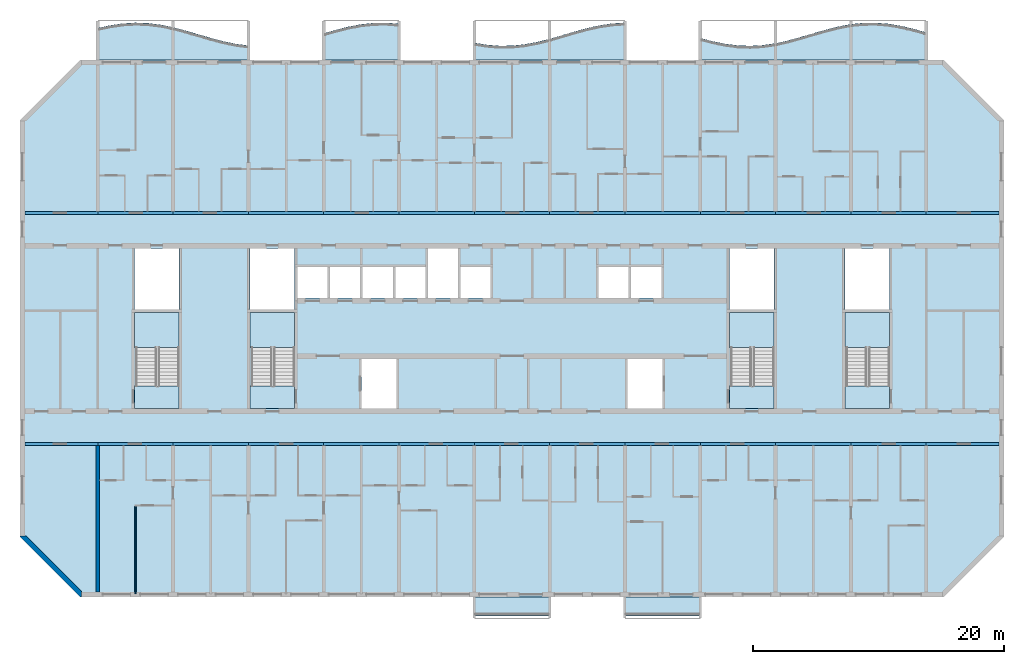
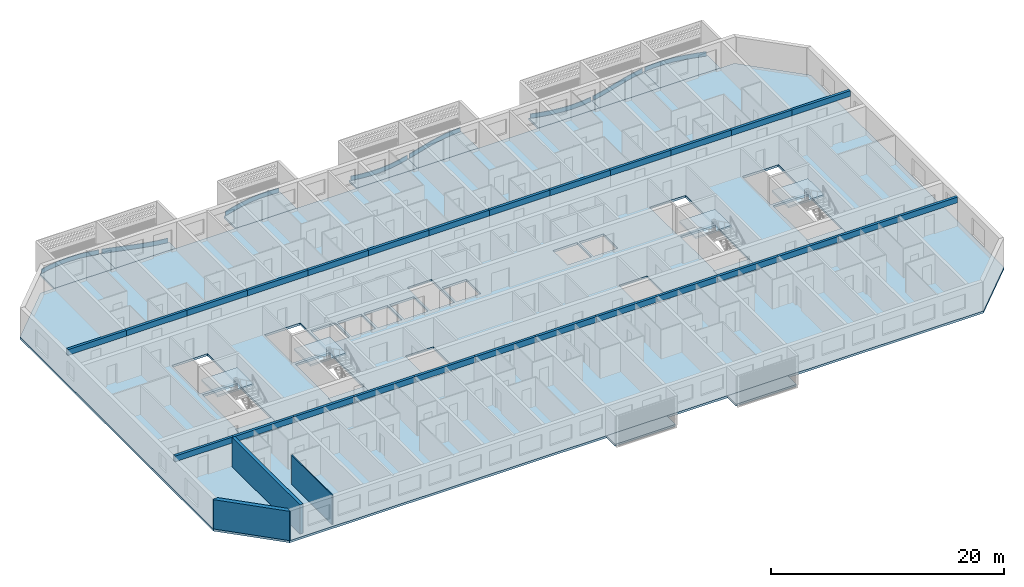
# One storey, part 1 of 31: 26 beams, 19 slabs, 8 plates, 3 walls, 4 elements without a shape of their own.
"""IFC4 building model written with IfcOpenShell, lengths in metres."""

import ifcopenshell
import ifcopenshell.guid

model = None  # the IFC model being written
_history = None  # IfcOwnerHistory: only IFC2X3 demands one
_inside = {}  # id of a spatial element -> (the spatial element, [elements in it])
_under = {}  # id of a project, library or spatial element -> (it, [spatial elements below it])
_declared = {}  # id of a project -> (the project, [libraries it declares])
_typed = {}  # id of a type object -> (the type object, [elements of that type])
_made_of = {}  # id of a material, layer set ... -> (it, [elements and type objects made of it])


def new_model(schema):
    """Start an empty IFC model of exactly this schema.

    Asked for "IFC4X3", IfcOpenShell would pick the latest addendum, in which some entities
    have other attributes; the version numbers below select the first issue.
    IFC2X3 requires an IfcOwnerHistory on every rooted entity: one is made here for all.
    """
    global model, _history
    if schema == "IFC4X3":
        model = ifcopenshell.file(schema_version=(4, 3, 0, 0))
    else:
        model = ifcopenshell.file(schema=schema)
    _inside.clear()
    _under.clear()
    _declared.clear()
    _typed.clear()
    _made_of.clear()
    _history = None
    if model.schema == "IFC2X3":
        org = make("IfcOrganization", Name="unknown")
        user = make(
            "IfcPersonAndOrganization",
            ThePerson=make("IfcPerson", FamilyName="unknown"),
            TheOrganization=org,
        )
        app = make(
            "IfcApplication",
            ApplicationDeveloper=org,
            Version="unknown",
            ApplicationFullName="unknown",
            ApplicationIdentifier="unknown",
        )
        _history = make(
            "IfcOwnerHistory",
            OwningUser=user,
            OwningApplication=app,
            ChangeAction="ADDED",
            CreationDate=0,
        )
    return model


def make(cls, **values):
    """One entity of the class cls with the attributes given. An attribute that is None is left unset."""
    return model.create_entity(
        cls, **{name: value for name, value in values.items() if value is not None}
    )


def rooted(cls, **values):
    """An entity with a GlobalId (a new one), such as an element, a storey or a relation."""
    return make(cls, GlobalId=ifcopenshell.guid.new(), OwnerHistory=_history, **values)


def si_unit(unit_type, name, prefix=None):
    """IfcSIUnit, for example si_unit("LENGTHUNIT", "METRE", prefix="MILLI")."""
    return make("IfcSIUnit", UnitType=unit_type, Prefix=prefix, Name=name)


def assignment(units):
    """IfcUnitAssignment: the units of a project."""
    return None if units is None else make("IfcUnitAssignment", Units=units)


def point(xyz):
    """IfcCartesianPoint."""
    return None if xyz is None else make("IfcCartesianPoint", Coordinates=xyz)


def direction(xyz):
    """IfcDirection."""
    return None if xyz is None else make("IfcDirection", DirectionRatios=xyz)


def frame(location, z_axis=None, x_axis=None):
    """IfcAxis2Placement3D, a coordinate frame: its origin and axes. An axis left out is left unset."""
    return make(
        "IfcAxis2Placement3D",
        Location=point(location),
        Axis=direction(z_axis),
        RefDirection=direction(x_axis),
    )


def frame_2d(location, x_axis=None):
    """IfcAxis2Placement2D, a coordinate frame in the plane: its origin and x axis."""
    return make(
        "IfcAxis2Placement2D", Location=point(location), RefDirection=direction(x_axis)
    )


def origin():
    """The frame at (0, 0, 0) with its axes left unset."""
    return frame((0.0, 0.0, 0.0))


def origin_2d():
    """The frame at (0, 0) in the plane with its x axis left unset."""
    return frame_2d((0.0, 0.0))


def place(relative_to, where):
    """IfcLocalPlacement: puts the frame where relative to a parent placement (None: the world)."""
    return make(
        "IfcLocalPlacement", PlacementRelTo=relative_to, RelativePlacement=where
    )


def context(
    kind, dimensions, precision=None, world=None, true_north=None, identifier=None
):
    """IfcGeometricRepresentationContext, for example the 3D "Model" context."""
    return make(
        "IfcGeometricRepresentationContext",
        ContextIdentifier=identifier,
        ContextType=kind,
        CoordinateSpaceDimension=dimensions,
        Precision=precision,
        WorldCoordinateSystem=world,
        TrueNorth=true_north,
    )


def subcontext(parent, identifier, kind, view, scale=None):
    """IfcGeometricRepresentationSubContext, for example "Body" below "Model"."""
    return make(
        "IfcGeometricRepresentationSubContext",
        ContextIdentifier=identifier,
        ContextType=kind,
        ParentContext=parent,
        TargetScale=scale,
        TargetView=view,
    )


def project(units=None, contexts=None):
    """IfcProject with its units and contexts."""
    return rooted(
        "IfcProject",
        Name="project",
        RepresentationContexts=contexts,
        UnitsInContext=assignment(units),
    )


def spatial(cls, under=None, at=None, **own):
    """A site, building, storey or space (cls), placed at a placement, below another one or the project."""
    s = rooted(cls, ObjectPlacement=at, **own)
    if under is not None:
        _under.setdefault(under.id(), (under, []))[1].append(s)
    return s


def polyline(points):
    """IfcPolyline through the points."""
    return make("IfcPolyline", Points=[point(p) for p in points])


def profile(cls, at=None, kind="AREA", **sizes):
    """A parametric profile (cls). Its sizes go by their IFC names, for example OverallWidth=200.0."""
    return make(cls, ProfileType=kind, Position=at, **sizes)


def rectangle(**sizes):
    """IfcRectangleProfileDef."""
    return profile("IfcRectangleProfileDef", **sizes)


def outline(outer, holes=None, kind="AREA"):
    """IfcArbitraryClosedProfileDef: a profile drawn as a closed curve; with holes, ...WithVoids."""
    if holes is None:
        return make("IfcArbitraryClosedProfileDef", ProfileType=kind, OuterCurve=outer)
    return make(
        "IfcArbitraryProfileDefWithVoids",
        ProfileType=kind,
        OuterCurve=outer,
        InnerCurves=holes,
    )


def extrude(swept, where, along, depth):
    """IfcExtrudedAreaSolid: the profile swept, set in the frame where, extruded along a direction by depth."""
    return make(
        "IfcExtrudedAreaSolid",
        SweptArea=swept,
        Position=where,
        ExtrudedDirection=direction(along),
        Depth=depth,
    )


def shape(context_of_items, identifier, shape_type, items):
    """IfcShapeRepresentation: the items that make up one representation, for example the "Body"."""
    return make(
        "IfcShapeRepresentation",
        ContextOfItems=context_of_items,
        RepresentationIdentifier=identifier,
        RepresentationType=shape_type,
        Items=items,
    )


def source(mapping_origin, context_of_items, identifier, shape_type, items):
    """IfcRepresentationMap: a shape defined once, which mapped items show again and again."""
    return make(
        "IfcRepresentationMap",
        MappingOrigin=mapping_origin,
        MappedRepresentation=shape(context_of_items, identifier, shape_type, items),
    )


def transform(
    local_origin,
    x_axis=None,
    y_axis=None,
    z_axis=None,
    scale=None,
    scale2=None,
    scale3=None,
    uniform=True,
):
    """IfcCartesianTransformationOperator3D, or its non-uniform kind. x_axis, y_axis, z_axis: its Axis1, 2, 3."""
    if uniform:
        return make(
            "IfcCartesianTransformationOperator3D",
            Axis1=direction(x_axis),
            Axis2=direction(y_axis),
            LocalOrigin=point(local_origin),
            Scale=scale,
            Axis3=direction(z_axis),
        )
    return make(
        "IfcCartesianTransformationOperator3DnonUniform",
        Axis1=direction(x_axis),
        Axis2=direction(y_axis),
        LocalOrigin=point(local_origin),
        Scale=scale,
        Axis3=direction(z_axis),
        Scale2=scale2,
        Scale3=scale3,
    )


def mapped(mapping_source, mapping_target):
    """IfcMappedItem: shows the shape of a source again, moved by a transform."""
    return make(
        "IfcMappedItem", MappingSource=mapping_source, MappingTarget=mapping_target
    )


def material(Name=None, Category=None):
    """IfcMaterial."""
    return make("IfcMaterial", Name=Name, Category=Category)


def layer(
    of_material, thickness, ventilated=None, Name=None, Category=None, Priority=None
):
    """IfcMaterialLayer: one layer of a wall or slab, of a material (None: an air gap)."""
    return make(
        "IfcMaterialLayer",
        Material=of_material,
        LayerThickness=thickness,
        IsVentilated=ventilated,
        Name=Name,
        Category=Category,
        Priority=Priority,
    )


def layer_set(layers, Name=None):
    """IfcMaterialLayerSet."""
    return make("IfcMaterialLayerSet", MaterialLayers=layers, LayerSetName=Name)


def material_profile(
    of_material, cross_section, Name=None, Category=None, Priority=None
):
    """IfcMaterialProfile: a cross section and its material."""
    return make(
        "IfcMaterialProfile",
        Name=Name,
        Material=of_material,
        Profile=cross_section,
        Priority=Priority,
        Category=Category,
    )


def profile_set(profiles, Name=None, composite=None):
    """IfcMaterialProfileSet."""
    return make(
        "IfcMaterialProfileSet",
        Name=Name,
        MaterialProfiles=profiles,
        CompositeProfile=composite,
    )


def made_of(thing, what):
    """Note that an element or type object is made of a material, layer set ...; save() writes the relation."""
    if what is not None:
        _made_of.setdefault(what.id(), (what, []))[1].append(thing)
    return thing


def type_object(cls, material=None, **own):
    """A type object (cls), such as IfcWallType, which elements share."""
    return made_of(rooted(cls, **own), material)


def element(
    cls,
    number,
    at=None,
    inside=None,
    cuts=None,
    type_object=None,
    material=None,
    context=None,
    identifier="Body",
    shape_type=None,
    held_by="IfcProductDefinitionShape",
    body=None,
    shapes=None,
    **own,
):
    """One element of the class cls, such as IfcWall. Its Tag is "e" and its number.

    at: its placement. inside: the storey or other place that contains it. cuts: it is an
    opening in that element (IfcRelVoidsElement). A single representation is given by context,
    identifier, shape_type and body (its items); several are given by shapes. held_by: the class
    of the entity that holds the representations. save() writes the other relations.
    """
    e = rooted(cls, Tag="e%d" % number, ObjectPlacement=at, **own)
    if body is not None:
        shapes = [shape(context, identifier, shape_type, body)]
    if shapes is not None:
        e.Representation = make(held_by, Representations=shapes)
    if inside is not None:
        _inside.setdefault(inside.id(), (inside, []))[1].append(e)
    if cuts is not None:
        rooted(
            "IfcRelVoidsElement", RelatingBuildingElement=cuts, RelatedOpeningElement=e
        )
    if type_object is not None:
        _typed.setdefault(type_object.id(), (type_object, []))[1].append(e)
    return made_of(e, material)


def aggregate(whole, parts):
    """IfcRelAggregates: a whole, such as a stair, and the parts it consists of."""
    return rooted("IfcRelAggregates", RelatingObject=whole, RelatedObjects=parts)


def save(model, path):
    """Write the relations noted so far, then the file.

    IfcRelAggregates (storeys below a building ...), IfcRelContainedInSpatialStructure (elements
    in a storey), IfcRelDefinesByType, IfcRelAssociatesMaterial and IfcRelDeclares: one each for
    every whole, place, type object, material and project.
    """
    for whole, parts in _under.values():
        aggregate(whole, parts)
    for where, things in _inside.values():
        rooted(
            "IfcRelContainedInSpatialStructure",
            RelatedElements=things,
            RelatingStructure=where,
        )
    for kind, things in _typed.values():
        rooted("IfcRelDefinesByType", RelatedObjects=things, RelatingType=kind)
    for what, things in _made_of.values():
        rooted("IfcRelAssociatesMaterial", RelatedObjects=things, RelatingMaterial=what)
    for by, libraries in _declared.values():
        rooted("IfcRelDeclares", RelatingContext=by, RelatedDefinitions=libraries)
    model.write(path)


model = new_model("IFC4")

# Units and contexts
model_context = context("Model", 3, precision=1e-05, world=origin(), true_north=direction((0.0, 1.0)))
body_context = subcontext(model_context, "Body", "Model", "MODEL_VIEW")
ifc_project = project(units=[si_unit("LENGTHUNIT", "METRE"), si_unit("AREAUNIT", "SQUARE_METRE"), si_unit("VOLUMEUNIT", "CUBIC_METRE"), si_unit("PLANEANGLEUNIT", "RADIAN"), si_unit("MASSUNIT", "GRAM", prefix="KILO")], contexts=[model_context])

# Site, building, storey
site_placement = place(None, origin())
site = spatial("IfcSite", under=ifc_project, at=site_placement, CompositionType="ELEMENT")
building_placement = place(site_placement, origin())
building = spatial("IfcBuilding", under=site, at=building_placement, Name="Poui Terraces", CompositionType="ELEMENT")
storey_placement = place(building_placement, frame((0.0, 0.0, 142.199951171875)))
storey = spatial("IfcBuildingStorey", under=building, at=storey_placement, Name="L39", CompositionType="ELEMENT", Elevation=142.199951171875)

# Beams
ifc_material_1 = material(Name="Concrete 65 MPa", Category="concrete")
ifc_material_profile = material_profile(ifc_material_1, rectangle(XDim=0.25, YDim=0.60009765625, at=origin_2d()), Name="RC 250x600")
ifc_profile_set = profile_set([ifc_material_profile], Name="Concrete 65 MPa")
beam_type = type_object("IfcBeamType", Name="COUPLING BEAM 250x600 65MPa", PredefinedType="BEAM", material=ifc_profile_set)
shared_shape_1 = source(origin(), body_context, "Body", "SweptSolid", [
    extrude(rectangle(XDim=0.25, YDim=0.60009765625, at=origin_2d()), origin(), (0.0, 0.0, 1.0), 5.800048828125),
])
for number, where, z_axis, x_axis, name in (
    (1, (12.199951171875, 12.0, 2.77001953125), (1.0, 0.0, 0.0), (0.0, 1.0, 0.0), "COUPLING BEAM LINE B BAY 1"),
    (2, (84.0, 12.0, 2.77001953125), (1.0, 0.0, 0.0), (0.0, 1.0, 0.0), "COUPLING BEAM LINE B BAY 13"),
    (3, (12.199951171875, 30.39990234375, 2.77001953125), (1.0, 0.0, 0.0), (0.0, 1.0, 0.0), "COUPLING BEAM LINE E BAY 1"),
    (4, (84.0, 30.39990234375, 2.77001953125), (1.0, 0.0, 0.0), (0.0, 1.0, 0.0), "COUPLING BEAM LINE E BAY 13"),
):
    element("IfcBeam", number, at=place(storey_placement, frame(where, z_axis=z_axis, x_axis=x_axis)), inside=storey, type_object=beam_type, Name=name, PredefinedType="BEAM", context=body_context, shape_type="MappedRepresentation", body=[
        mapped(shared_shape_1, transform((0.0, 0.0, 0.0))),
    ])
shared_shape_2 = source(origin(), body_context, "Body", "SweptSolid", [
    extrude(rectangle(XDim=0.25, YDim=0.60009765625, at=origin_2d()), origin(), (0.0, 0.0, 1.0), 6.0),
])
for number, where, z_axis, x_axis, name in (
    (5, (18.0, 12.0, 2.77001953125), (1.0, 0.0, 0.0), (0.0, 1.0, 0.0), "COUPLING BEAM LINE B BAY 2"),
    (6, (24.0, 12.0, 2.77001953125), (1.0, 0.0, 0.0), (0.0, 1.0, 0.0), "COUPLING BEAM LINE B BAY 3"),
    (7, (30.0, 12.0, 2.77001953125), (1.0, 0.0, 0.0), (0.0, 1.0, 0.0), "COUPLING BEAM LINE B BAY 4"),
    (8, (36.0, 12.0, 2.77001953125), (1.0, 0.0, 0.0), (0.0, 1.0, 0.0), "COUPLING BEAM LINE B BAY 5"),
    (9, (42.0, 12.0, 2.77001953125), (1.0, 0.0, 0.0), (0.0, 1.0, 0.0), "COUPLING BEAM LINE B BAY 6"),
    (10, (48.0, 12.0, 2.77001953125), (1.0, 0.0, 0.0), (0.0, 1.0, 0.0), "COUPLING BEAM LINE B BAY 7"),
    (11, (54.0, 12.0, 2.77001953125), (1.0, 0.0, 0.0), (0.0, 1.0, 0.0), "COUPLING BEAM LINE B BAY 8"),
    (12, (60.0, 12.0, 2.77001953125), (1.0, 0.0, 0.0), (0.0, 1.0, 0.0), "COUPLING BEAM LINE B BAY 9"),
    (13, (66.0, 12.0, 2.77001953125), (1.0, 0.0, 0.0), (0.0, 1.0, 0.0), "COUPLING BEAM LINE B BAY 10"),
    (14, (72.0, 12.0, 2.77001953125), (1.0, 0.0, 0.0), (0.0, 1.0, 0.0), "COUPLING BEAM LINE B BAY 11"),
    (15, (78.0, 12.0, 2.77001953125), (1.0, 0.0, 0.0), (0.0, 1.0, 0.0), "COUPLING BEAM LINE B BAY 12"),
    (16, (18.0, 30.39990234375, 2.77001953125), (1.0, 0.0, 0.0), (0.0, 1.0, 0.0), "COUPLING BEAM LINE E BAY 2"),
    (17, (24.0, 30.39990234375, 2.77001953125), (1.0, 0.0, 0.0), (0.0, 1.0, 0.0), "COUPLING BEAM LINE E BAY 3"),
    (18, (30.0, 30.39990234375, 2.77001953125), (1.0, 0.0, 0.0), (0.0, 1.0, 0.0), "COUPLING BEAM LINE E BAY 4"),
    (19, (36.0, 30.39990234375, 2.77001953125), (1.0, 0.0, 0.0), (0.0, 1.0, 0.0), "COUPLING BEAM LINE E BAY 5"),
    (20, (42.0, 30.39990234375, 2.77001953125), (1.0, 0.0, 0.0), (0.0, 1.0, 0.0), "COUPLING BEAM LINE E BAY 6"),
    (21, (48.0, 30.39990234375, 2.77001953125), (1.0, 0.0, 0.0), (0.0, 1.0, 0.0), "COUPLING BEAM LINE E BAY 7"),
    (22, (54.0, 30.39990234375, 2.77001953125), (1.0, 0.0, 0.0), (0.0, 1.0, 0.0), "COUPLING BEAM LINE E BAY 8"),
    (23, (60.0, 30.39990234375, 2.77001953125), (1.0, 0.0, 0.0), (0.0, 1.0, 0.0), "COUPLING BEAM LINE E BAY 9"),
    (24, (66.0, 30.39990234375, 2.77001953125), (1.0, 0.0, 0.0), (0.0, 1.0, 0.0), "COUPLING BEAM LINE E BAY 10"),
    (25, (72.0, 30.39990234375, 2.77001953125), (1.0, 0.0, 0.0), (0.0, 1.0, 0.0), "COUPLING BEAM LINE E BAY 11"),
    (26, (78.0, 30.39990234375, 2.77001953125), (1.0, 0.0, 0.0), (0.0, 1.0, 0.0), "COUPLING BEAM LINE E BAY 12"),
):
    element("IfcBeam", number, at=place(storey_placement, frame(where, z_axis=z_axis, x_axis=x_axis)), inside=storey, type_object=beam_type, Name=name, PredefinedType="BEAM", context=body_context, shape_type="MappedRepresentation", body=[
        mapped(shared_shape_2, transform((0.0, 0.0, 0.0))),
    ])

# Slabs
ifc_material_2 = material(Name="Precast concrete 40 MPa", Category="concrete")
ifc_layer_1 = layer(ifc_material_2, 0.199951171875)
ifc_layer_set_1 = layer_set([ifc_layer_1], Name="Precast concrete 40 MPa")
slab_type_1 = type_object("IfcSlabType", Name="BALCONY SLAB 200", PredefinedType="FLOOR", material=ifc_layer_set_1)
slab_1_placement = place(storey_placement, frame((0.0, 0.0, -0.199951171875)))
element("IfcSlab", 27, at=slab_1_placement, inside=storey, type_object=slab_type_1, Name="BALCONY SLAB", PredefinedType="FLOOR", context=body_context, shape_type="SweptSolid", body=[
    extrude(outline(polyline([(18.0, 42.60009765625), (24.0, 42.60009765625), (24.0, 45.1806640625), (23.0, 45.38623046875), (22.0, 45.513427734375), (21.0, 45.54931640625), (20.0, 45.489990234375), (19.0, 45.341552734375), (18.0, 45.119384765625), (18.0, 42.60009765625)])), origin(), (0.0, 0.0, 1.0), 0.199951171875),
])
slab_2_placement = place(storey_placement, frame((0.0, 0.0, -0.199951171875)))
element("IfcSlab", 28, at=slab_2_placement, inside=storey, type_object=slab_type_1, Name="BALCONY SLAB", PredefinedType="FLOOR", context=body_context, shape_type="SweptSolid", body=[
    extrude(outline(polyline([(24.0, 42.60009765625), (30.0, 42.60009765625), (30.0, 43.736572265625), (29.0, 43.86376953125), (28.0, 44.0693359375), (27.0, 44.33203125), (26.0, 44.625), (25.0, 44.91796875), (24.0, 45.1806640625), (24.0, 42.60009765625)])), origin(), (0.0, 0.0, 1.0), 0.199951171875),
])
slab_3_placement = place(storey_placement, frame((0.0, 0.0, -0.199951171875)))
element("IfcSlab", 29, at=slab_3_placement, inside=storey, type_object=slab_type_1, Name="BALCONY SLAB", PredefinedType="FLOOR", context=body_context, shape_type="SweptSolid", body=[
    extrude(outline(polyline([(36.0, 42.60009765625), (42.0, 42.60009765625), (42.0, 45.460693359375), (41.0, 45.543212890625), (40.0, 45.53125), (39.0, 45.426025390625), (38.0, 45.23828125), (37.0, 44.987548828125), (36.0, 44.699462890625), (36.0, 42.60009765625)])), origin(), (0.0, 0.0, 1.0), 0.199951171875),
])
slab_4_placement = place(storey_placement, frame((0.0, 0.0, -0.199951171875)))
element("IfcSlab", 30, at=slab_4_placement, inside=storey, type_object=slab_type_1, Name="BALCONY SLAB", PredefinedType="FLOOR", context=body_context, shape_type="SweptSolid", body=[
    extrude(outline(polyline([(48.0, 42.60009765625), (54.0, 42.60009765625), (54.0, 44.262451171875), (53.0, 44.01171875), (52.0, 43.823974609375), (51.0, 43.71875), (50.0, 43.706787109375), (49.0, 43.789306640625), (48.0, 43.9580078125), (48.0, 42.60009765625)])), origin(), (0.0, 0.0, 1.0), 0.199951171875),
])
slab_5_placement = place(storey_placement, frame((0.0, 0.0, -0.199951171875)))
element("IfcSlab", 31, at=slab_5_placement, inside=storey, type_object=slab_type_1, Name="BALCONY SLAB", PredefinedType="FLOOR", context=body_context, shape_type="SweptSolid", body=[
    extrude(outline(polyline([(54.0, 42.60009765625), (60.0, 42.60009765625), (60.0, 45.54931640625), (59.0, 45.489990234375), (58.0, 45.341552734375), (57.0, 45.119384765625), (56.0, 44.846435546875), (55.0, 44.550537109375), (54.0, 44.262451171875), (54.0, 42.60009765625)])), origin(), (0.0, 0.0, 1.0), 0.199951171875),
])
slab_6_placement = place(storey_placement, frame((0.0, 0.0, -0.199951171875)))
element("IfcSlab", 32, at=slab_6_placement, inside=storey, type_object=slab_type_1, Name="BALCONY SLAB", PredefinedType="FLOOR", context=body_context, shape_type="SweptSolid", body=[
    extrude(outline(polyline([(66.0, 42.60009765625), (72.0, 42.60009765625), (72.0, 43.908447265625), (71.0, 43.760009765625), (70.0, 43.70068359375), (69.0, 43.736572265625), (68.0, 43.86376953125), (67.0, 44.0693359375), (66.0, 44.33203125), (66.0, 42.60009765625)])), origin(), (0.0, 0.0, 1.0), 0.199951171875),
])
slab_7_placement = place(storey_placement, frame((0.0, 0.0, -0.199951171875)))
element("IfcSlab", 33, at=slab_7_placement, inside=storey, type_object=slab_type_1, Name="BALCONY SLAB", PredefinedType="FLOOR", context=body_context, shape_type="SweptSolid", body=[
    extrude(outline(polyline([(72.0, 42.60009765625), (78.0, 42.60009765625), (78.0, 45.426025390625), (77.0, 45.23828125), (76.0, 44.987548828125), (75.0, 44.699462890625), (74.0, 44.403564453125), (73.0, 44.130615234375), (72.0, 43.908447265625), (72.0, 42.60009765625)])), origin(), (0.0, 0.0, 1.0), 0.199951171875),
])
slab_8_placement = place(storey_placement, frame((0.0, 0.0, -0.199951171875)))
element("IfcSlab", 34, at=slab_8_placement, inside=storey, type_object=slab_type_1, Name="BALCONY SLAB", PredefinedType="FLOOR", context=body_context, shape_type="SweptSolid", body=[
    extrude(outline(polyline([(78.0, 42.60009765625), (84.0, 42.60009765625), (84.0, 44.7734375), (83.0, 45.054931640625), (82.0, 45.2919921875), (81.0, 45.460693359375), (80.0, 45.543212890625), (79.0, 45.53125), (78.0, 45.426025390625), (78.0, 42.60009765625)])), origin(), (0.0, 0.0, 1.0), 0.199951171875),
])

# Stair, slabs
stair_type = type_object("IfcStairType", Name="EXIT STAIR 1650 65 MPA", PredefinedType="HALF_TURN_STAIR", material=ifc_material_1)
stair_1_placement = place(storey_placement, origin())
stair_1 = element("IfcStair", 35, at=stair_1_placement, inside=storey, type_object=stair_type, Name="L39 CORE STAIR EAST", PredefinedType="HALF_TURN_STAIR")
ifc_layer_2 = layer(ifc_material_1, 0.199951171875)
ifc_layer_set_2 = layer_set([ifc_layer_2], Name="Concrete 65 MPa")
slab_type_2 = type_object("IfcSlabType", Name="STAIR LANDING 200 65 MPA", PredefinedType="LANDING", material=ifc_layer_set_2)
slab_9_placement = place(storey_placement, frame((0.0, 0.0, 1.449951171875)))
slab_9 = element("IfcSlab", 36, at=slab_9_placement, type_object=slab_type_2, Name="ST-CE landing 1", PredefinedType="LANDING", context=body_context, shape_type="SweptSolid", body=[
    extrude(outline(polyline([(68.324951171875, 19.679931640625), (71.875, 19.679931640625), (71.875, 22.47509765625), (68.324951171875, 22.47509765625), (68.324951171875, 19.679931640625)])), origin(), (0.0, 0.0, 1.0), 0.2001953125),
])
slab_10_placement = place(storey_placement, frame((0.0, 0.0, -0.199951171875)))
slab_10 = element("IfcSlab", 37, at=slab_10_placement, type_object=slab_type_2, Name="ST-CE landing 2", PredefinedType="LANDING", context=body_context, shape_type="SweptSolid", body=[
    extrude(outline(polyline([(68.324951171875, 14.824951171875), (71.875, 14.824951171875), (71.875, 16.60009765625), (68.324951171875, 16.60009765625), (68.324951171875, 14.824951171875)])), origin(), (0.0, 0.0, 1.0), 0.199951171875),
])
aggregate(stair_1, [slab_9, slab_10])

stair_2_placement = place(storey_placement, origin())
stair_2 = element("IfcStair", 38, at=stair_2_placement, inside=storey, type_object=stair_type, Name="L39 CORE STAIR WEST", PredefinedType="HALF_TURN_STAIR")
slab_11_placement = place(storey_placement, frame((0.0, 0.0, 1.449951171875)))
slab_11 = element("IfcSlab", 39, at=slab_11_placement, type_object=slab_type_2, Name="ST-CW landing 1", PredefinedType="LANDING", context=body_context, shape_type="SweptSolid", body=[
    extrude(outline(polyline([(30.125, 19.679931640625), (33.675048828125, 19.679931640625), (33.675048828125, 22.47509765625), (30.125, 22.47509765625), (30.125, 19.679931640625)])), origin(), (0.0, 0.0, 1.0), 0.2001953125),
])
slab_12_placement = place(storey_placement, frame((0.0, 0.0, -0.199951171875)))
slab_12 = element("IfcSlab", 40, at=slab_12_placement, type_object=slab_type_2, Name="ST-CW landing 2", PredefinedType="LANDING", context=body_context, shape_type="SweptSolid", body=[
    extrude(outline(polyline([(30.125, 14.824951171875), (33.675048828125, 14.824951171875), (33.675048828125, 16.60009765625), (30.125, 16.60009765625), (30.125, 14.824951171875)])), origin(), (0.0, 0.0, 1.0), 0.199951171875),
])
aggregate(stair_2, [slab_11, slab_12])

stair_3_placement = place(storey_placement, origin())
stair_3 = element("IfcStair", 41, at=stair_3_placement, inside=storey, type_object=stair_type, Name="L39 TIP STAIR EAST", PredefinedType="HALF_TURN_STAIR")
slab_13_placement = place(storey_placement, frame((0.0, 0.0, 1.449951171875)))
slab_13 = element("IfcSlab", 42, at=slab_13_placement, type_object=slab_type_2, Name="ST-E landing 1", PredefinedType="LANDING", context=body_context, shape_type="SweptSolid", body=[
    extrude(outline(polyline([(77.52490234375, 19.679931640625), (81.074951171875, 19.679931640625), (81.074951171875, 22.47509765625), (77.52490234375, 22.47509765625), (77.52490234375, 19.679931640625)])), origin(), (0.0, 0.0, 1.0), 0.2001953125),
])
slab_14_placement = place(storey_placement, frame((0.0, 0.0, -0.199951171875)))
slab_14 = element("IfcSlab", 43, at=slab_14_placement, type_object=slab_type_2, Name="ST-E landing 2", PredefinedType="LANDING", context=body_context, shape_type="SweptSolid", body=[
    extrude(outline(polyline([(77.52490234375, 14.824951171875), (81.074951171875, 14.824951171875), (81.074951171875, 16.60009765625), (77.52490234375, 16.60009765625), (77.52490234375, 14.824951171875)])), origin(), (0.0, 0.0, 1.0), 0.199951171875),
])
aggregate(stair_3, [slab_13, slab_14])

stair_4_placement = place(storey_placement, origin())
stair_4 = element("IfcStair", 44, at=stair_4_placement, inside=storey, type_object=stair_type, Name="L39 TIP STAIR WEST", PredefinedType="HALF_TURN_STAIR")
slab_15_placement = place(storey_placement, frame((0.0, 0.0, 1.449951171875)))
slab_15 = element("IfcSlab", 45, at=slab_15_placement, type_object=slab_type_2, Name="ST-W landing 1", PredefinedType="LANDING", context=body_context, shape_type="SweptSolid", body=[
    extrude(outline(polyline([(20.925048828125, 19.679931640625), (24.47509765625, 19.679931640625), (24.47509765625, 22.47509765625), (20.925048828125, 22.47509765625), (20.925048828125, 19.679931640625)])), origin(), (0.0, 0.0, 1.0), 0.2001953125),
])
slab_16_placement = place(storey_placement, frame((0.0, 0.0, -0.199951171875)))
slab_16 = element("IfcSlab", 46, at=slab_16_placement, type_object=slab_type_2, Name="ST-W landing 2", PredefinedType="LANDING", context=body_context, shape_type="SweptSolid", body=[
    extrude(outline(polyline([(20.925048828125, 14.824951171875), (24.47509765625, 14.824951171875), (24.47509765625, 16.60009765625), (20.925048828125, 16.60009765625), (20.925048828125, 14.824951171875)])), origin(), (0.0, 0.0, 1.0), 0.199951171875),
])
aggregate(stair_4, [slab_15, slab_16])

# Plates
ifc_layer_3 = layer(ifc_material_2, 0.080078125)
ifc_layer_set_3 = layer_set([ifc_layer_3], Name="Precast concrete 40 MPa")
plate_type = type_object("IfcPlateType", Name="SUNSHADE UPSTAND 80", PredefinedType="SHEET", material=ifc_layer_set_3)
plate_1_placement = place(storey_placement, origin())
element("IfcPlate", 47, at=plate_1_placement, inside=storey, type_object=plate_type, Name="SUNSHADE UPSTAND", PredefinedType="SHEET", context=body_context, shape_type="SweptSolid", body=[
    extrude(outline(polyline([(18.992919921875, 45.3359375), (18.116455078125, 45.14453125), (18.133544921875, 45.06640625), (19.007080078125, 45.257080078125), (20.004150390625, 45.405029296875), (21.00048828125, 45.464111328125), (21.996826171875, 45.4287109375), (22.993408203125, 45.3017578125), (23.8671875, 45.125732421875), (23.8828125, 45.2041015625), (23.006591796875, 45.380859375), (22.003173828125, 45.50830078125), (20.99951171875, 45.544189453125), (19.995849609375, 45.484619140625), (18.992919921875, 45.3359375)])), origin(), (0.0, 0.0, 1.0), 0.449951171875),
])
plate_2_placement = place(storey_placement, origin())
element("IfcPlate", 48, at=plate_2_placement, inside=storey, type_object=plate_type, Name="SUNSHADE UPSTAND", PredefinedType="SHEET", context=body_context, shape_type="SweptSolid", body=[
    extrude(outline(polyline([(25.0107421875, 44.911376953125), (24.13525390625, 45.14404296875), (24.11474609375, 45.06689453125), (24.9892578125, 44.83447265625), (25.98876953125, 44.54150390625), (26.9892578125, 44.24853515625), (27.990966796875, 43.9853515625), (28.993408203125, 43.779296875), (29.86962890625, 43.6630859375), (29.88037109375, 43.7421875), (29.006591796875, 43.858154296875), (28.009033203125, 44.063232421875), (27.0107421875, 44.32568359375), (26.01123046875, 44.618408203125), (25.0107421875, 44.911376953125)])), origin(), (0.0, 0.0, 1.0), 0.449951171875),
])
plate_3_placement = place(storey_placement, origin())
element("IfcPlate", 49, at=plate_3_placement, inside=storey, type_object=plate_type, Name="SUNSHADE UPSTAND", PredefinedType="SHEET", context=body_context, shape_type="SweptSolid", body=[
    extrude(outline(polyline([(36.989501953125, 44.981201171875), (36.114013671875, 44.72998046875), (36.135986328125, 44.653076171875), (37.010498046875, 44.90380859375), (38.008544921875, 45.154296875), (39.005859375, 45.341552734375), (40.002197265625, 45.4462890625), (40.998779296875, 45.458251953125), (41.871826171875, 45.39111328125), (41.878173828125, 45.470703125), (41.859619140625, 45.472412109375), (41.001220703125, 45.538330078125), (39.997802734375, 45.5263671875), (38.994140625, 45.420654296875), (37.991455078125, 45.232421875), (36.989501953125, 44.981201171875)])), origin(), (0.0, 0.0, 1.0), 0.449951171875),
])
plate_4_placement = place(storey_placement, origin())
element("IfcPlate", 50, at=plate_4_placement, inside=storey, type_object=plate_type, Name="SUNSHADE UPSTAND", PredefinedType="SHEET", context=body_context, shape_type="SweptSolid", body=[
    extrude(outline(polyline([(49.0048828125, 43.783935546875), (48.131591796875, 43.927001953125), (48.118408203125, 43.84814453125), (48.9951171875, 43.70458984375), (49.99853515625, 43.62158203125), (51.002197265625, 43.6337890625), (52.005859375, 43.7392578125), (53.008544921875, 43.927490234375), (53.884521484375, 44.14453125), (53.865478515625, 44.222412109375), (52.991455078125, 44.005615234375), (51.994140625, 43.818603515625), (50.997802734375, 43.713623046875), (50.00146484375, 43.701904296875), (49.0048828125, 43.783935546875)])), origin(), (0.0, 0.0, 1.0), 0.449951171875),
])
plate_5_placement = place(storey_placement, origin())
element("IfcPlate", 51, at=plate_5_placement, inside=storey, type_object=plate_type, Name="SUNSHADE UPSTAND", PredefinedType="SHEET", context=body_context, shape_type="SweptSolid", body=[
    extrude(outline(polyline([(54.98876953125, 44.5439453125), (54.114013671875, 44.290283203125), (54.135986328125, 44.213623046875), (55.01123046875, 44.46728515625), (56.010986328125, 44.762939453125), (57.009521484375, 45.035400390625), (58.00732421875, 45.257080078125), (59.004150390625, 45.405029296875), (59.877685546875, 45.462158203125), (59.872314453125, 45.541748046875), (59.831787109375, 45.539306640625), (58.995849609375, 45.484619140625), (57.99267578125, 45.3359375), (56.990478515625, 45.11328125), (55.989013671875, 44.83984375), (54.98876953125, 44.5439453125)])), origin(), (0.0, 0.0, 1.0), 0.449951171875),
])
plate_6_placement = place(storey_placement, origin())
element("IfcPlate", 52, at=plate_6_placement, inside=storey, type_object=plate_type, Name="SUNSHADE UPSTAND", PredefinedType="SHEET", context=body_context, shape_type="SweptSolid", body=[
    extrude(outline(polyline([(67.009033203125, 44.063232421875), (66.135009765625, 44.290771484375), (66.114990234375, 44.21337890625), (66.990966796875, 43.9853515625), (67.993408203125, 43.779296875), (68.996826171875, 43.651611328125), (70.00048828125, 43.61572265625), (71.00390625, 43.67529296875), (71.880615234375, 43.80078125), (71.869384765625, 43.880126953125), (70.99609375, 43.7548828125), (69.99951171875, 43.69580078125), (69.003173828125, 43.7314453125), (68.006591796875, 43.858154296875), (67.009033203125, 44.063232421875)])), origin(), (0.0, 0.0, 1.0), 0.449951171875),
])
plate_7_placement = place(storey_placement, origin())
element("IfcPlate", 53, at=plate_7_placement, inside=storey, type_object=plate_type, Name="SUNSHADE UPSTAND", PredefinedType="SHEET", context=body_context, shape_type="SweptSolid", body=[
    extrude(outline(polyline([(72.990234375, 44.12451171875), (72.1162109375, 43.926513671875), (72.1337890625, 43.8486328125), (73.009765625, 44.046875), (74.010986328125, 44.3203125), (75.01123046875, 44.615966796875), (76.010498046875, 44.90380859375), (77.0087890625, 45.154296875), (77.882568359375, 45.322509765625), (77.867431640625, 45.401123046875), (76.9912109375, 45.232421875), (75.989501953125, 44.981201171875), (74.98876953125, 44.69287109375), (73.989013671875, 44.397216796875), (72.990234375, 44.12451171875)])), origin(), (0.0, 0.0, 1.0), 0.449951171875),
])
plate_8_placement = place(storey_placement, origin())
element("IfcPlate", 54, at=plate_8_placement, inside=storey, type_object=plate_type, Name="SUNSHADE UPSTAND", PredefinedType="SHEET", context=body_context, shape_type="SweptSolid", body=[
    extrude(outline(polyline([(78.997802734375, 45.5263671875), (78.128173828125, 45.439697265625), (78.12109375, 45.438720703125), (78.12890625, 45.359130859375), (79.002197265625, 45.4462890625), (79.99853515625, 45.458251953125), (80.9951171875, 45.3759765625), (81.991943359375, 45.2080078125), (82.989990234375, 44.97119140625), (83.8642578125, 44.7265625), (83.8857421875, 44.803466796875), (83.010009765625, 45.048583984375), (82.008056640625, 45.286376953125), (81.0048828125, 45.455322265625), (80.00146484375, 45.538330078125), (78.997802734375, 45.5263671875)])), origin(), (0.0, 0.0, 1.0), 0.449951171875),
])

# Slabs
ifc_material_3 = material(Name="Concrete 40 MPa", Category="concrete")
ifc_layer_4 = layer(ifc_material_3, 0.22998046875)
ifc_layer_set_4 = layer_set([ifc_layer_4], Name="Concrete 40 MPa")
slab_type_3 = type_object("IfcSlabType", Name="FLOOR SLAB 230", PredefinedType="FLOOR", material=ifc_layer_set_4)
shared_shape_3 = source(origin(), body_context, "Body", "SweptSolid", [
    extrude(outline(polyline([(0.0, 0.0), (4.800048828125, -4.800048828125), (73.599853515625, -4.800048828125), (78.39990234375, 0.0), (78.39990234375, 33.199951171875), (73.599853515625, 38.0), (4.800048828125, 38.0), (0.0, 33.199951171875), (0.0, 0.0)]), holes=[polyline([(27.199951171875, 10.224853515625), (27.199951171875, 14.1748046875), (30.0, 14.1748046875), (30.0, 10.224853515625), (27.199951171875, 10.224853515625)]), polyline([(9.224853515625, 17.849853515625), (12.675048828125, 17.849853515625), (12.675048828125, 12.0), (12.675048828125, 10.224853515625), (9.125, 10.224853515625), (9.125, 12.0), (9.224853515625, 12.0), (9.224853515625, 17.849853515625)]), polyline([(18.425048828125, 17.849853515625), (21.875, 17.849853515625), (21.875, 12.0), (21.875, 10.224853515625), (18.324951171875, 10.224853515625), (18.324951171875, 12.0), (18.425048828125, 12.0), (18.425048828125, 17.849853515625)]), polyline([(22.099853515625, 19.02490234375), (22.099853515625, 21.5), (24.5, 21.5), (24.5, 19.02490234375), (22.099853515625, 19.02490234375)]), polyline([(24.699951171875, 19.02490234375), (24.699951171875, 21.5), (27.099853515625, 21.5), (27.099853515625, 19.02490234375), (24.699951171875, 19.02490234375)]), polyline([(27.300048828125, 19.02490234375), (27.300048828125, 21.5), (29.699951171875, 21.5), (29.699951171875, 19.02490234375), (27.300048828125, 19.02490234375)]), polyline([(29.89990234375, 19.02490234375), (29.89990234375, 21.5), (32.300048828125, 21.5), (32.300048828125, 19.02490234375), (29.89990234375, 19.02490234375)]), polyline([(9.125, 22.974853515625), (12.675048828125, 22.974853515625), (12.675048828125, 18.125), (9.125, 18.125), (9.125, 22.974853515625)]), polyline([(18.324951171875, 22.974853515625), (21.875, 22.974853515625), (21.875, 18.125), (18.324951171875, 18.125), (18.324951171875, 22.974853515625)]), polyline([(48.39990234375, 10.224853515625), (48.39990234375, 14.1748046875), (51.199951171875, 14.1748046875), (51.199951171875, 10.224853515625), (48.39990234375, 10.224853515625)]), polyline([(56.625, 17.849853515625), (60.074951171875, 17.849853515625), (60.074951171875, 12.0), (60.074951171875, 10.224853515625), (56.52490234375, 10.224853515625), (56.52490234375, 12.0), (56.625, 12.0), (56.625, 17.849853515625)]), polyline([(65.824951171875, 17.849853515625), (69.27490234375, 17.849853515625), (69.27490234375, 12.0), (69.27490234375, 10.224853515625), (65.724853515625, 10.224853515625), (65.724853515625, 12.0), (65.824951171875, 12.0), (65.824951171875, 17.849853515625)]), polyline([(35.099853515625, 19.02490234375), (35.099853515625, 21.5), (37.5, 21.5), (37.5, 19.02490234375), (35.099853515625, 19.02490234375)]), polyline([(46.099853515625, 19.02490234375), (46.099853515625, 21.5), (48.5, 21.5), (48.5, 19.02490234375), (46.099853515625, 19.02490234375)]), polyline([(48.699951171875, 19.02490234375), (48.699951171875, 21.5), (51.099853515625, 21.5), (51.099853515625, 19.02490234375), (48.699951171875, 19.02490234375)]), polyline([(56.52490234375, 18.125), (56.52490234375, 22.974853515625), (60.074951171875, 22.974853515625), (60.074951171875, 18.125), (56.52490234375, 18.125)]), polyline([(65.724853515625, 22.974853515625), (69.27490234375, 22.974853515625), (69.27490234375, 18.125), (65.724853515625, 18.125), (65.724853515625, 22.974853515625)]), polyline([(32.5, 22.974853515625), (34.89990234375, 22.974853515625), (34.89990234375, 19.02490234375), (32.5, 19.02490234375), (32.5, 22.974853515625)])]), origin(), (0.0, 0.0, 1.0), 0.22998046875),
])
slab_17_placement = place(storey_placement, frame((11.800048828125, 4.60009765625, -0.22998046875)))
element("IfcSlab", 55, at=slab_17_placement, inside=storey, type_object=slab_type_3, Name="FLOOR SLAB", PredefinedType="FLOOR", context=body_context, shape_type="MappedRepresentation", body=[
    mapped(shared_shape_3, transform((0.0, 0.0, 0.0))),
])
ifc_layer_5 = layer(ifc_material_2, 0.199951171875)
ifc_layer_set_5 = layer_set([ifc_layer_5], Name="Precast concrete 40 MPa")
slab_type_4 = type_object("IfcSlabType", Name="REAR BALCONY SLAB 200", PredefinedType="FLOOR", material=ifc_layer_set_5)
shared_shape_4 = source(origin(), body_context, "Body", "SweptSolid", [
    extrude(outline(polyline([(0.0, 0.0), (6.0, 0.0), (6.0, 1.5), (0.0, 1.5), (0.0, 0.0)])), origin(), (0.0, 0.0, 1.0), 0.199951171875),
])
for number, where, name in (
    (56, (48.0, -1.699951171875, -0.199951171875), "REAR BALCONY SLAB"),
    (57, (60.0, -1.699951171875, -0.199951171875), "REAR BALCONY SLAB"),
):
    element("IfcSlab", number, at=place(storey_placement, frame(where)), inside=storey, type_object=slab_type_4, Name=name, PredefinedType="FLOOR", context=body_context, shape_type="MappedRepresentation", body=[
        mapped(shared_shape_4, transform((0.0, 0.0, 0.0))),
    ])

# Walls
ifc_layer_6 = layer(ifc_material_1, 0.300048828125)
ifc_layer_set_6 = layer_set([ifc_layer_6], Name="Concrete 65 MPa")
wall_type_1 = type_object("IfcWallType", Name="CROSS WALL 300 65MPa", PredefinedType="SHEAR", material=ifc_layer_set_6)
wall_1_placement = place(storey_placement, frame((18.0, 0.199951171875, 0.0), z_axis=(0.0, 0.0, 1.0), x_axis=(0.0, 1.0, 0.0)))
element("IfcWall", 58, at=wall_1_placement, inside=storey, type_object=wall_type_1, Name="CROSS WALL LINE 4 SOUTH", PredefinedType="SHEAR", context=body_context, shape_type="SweptSolid", body=[
    extrude(rectangle(XDim=11.675048828125, YDim=0.300048828125, at=frame_2d((5.83740234375, 0.0))), origin(), (0.0, 0.0, 1.0), 3.070068359375),
])
ifc_material_4 = material(Name="Plasterboard partition")
ifc_layer_7 = layer(ifc_material_4, 0.10009765625)
ifc_layer_set_7 = layer_set([ifc_layer_7], Name="Plasterboard partition")
wall_type_2 = type_object("IfcWallType", Name="FLAT PARTITION 100", PredefinedType="PARTITIONING", material=ifc_layer_set_7)
wall_2_placement = place(storey_placement, frame((21.0, 0.06005859375, 0.0), z_axis=(0.0, 0.0, 1.0), x_axis=(0.0, 1.0, 0.0)))
element("IfcWall", 59, at=wall_2_placement, inside=storey, type_object=wall_type_2, Name="FLAT PARTITION 100", PredefinedType="PARTITIONING", context=body_context, shape_type="SweptSolid", body=[
    extrude(rectangle(XDim=6.989990234375, YDim=0.10009765625, at=frame_2d((3.4951171875, 0.0))), origin(), (0.0, 0.0, 1.0), 3.070068359375),
])
ifc_layer_8 = layer(ifc_material_2, 0.39990234375)
ifc_layer_set_8 = layer_set([ifc_layer_8], Name="Precast concrete 40 MPa")
wall_type_3 = type_object("IfcWallType", Name="TERRACOTTA CLAD CHAMFER WALL 400", PredefinedType="STANDARD", material=ifc_layer_set_8)
wall_3_placement = place(storey_placement, origin())
element("IfcWall", 60, at=wall_3_placement, inside=storey, type_object=wall_type_3, Name="CHAMFER WALL CH07", PredefinedType="STANDARD", context=body_context, shape_type="SweptSolid", body=[
    extrude(outline(polyline([(11.800048828125, 4.682861328125), (11.800048828125, 4.60009765625), (16.60009765625, -0.199951171875), (16.682861328125, -0.199951171875), (16.682861328125, 0.28271484375), (12.28271484375, 4.682861328125), (11.800048828125, 4.682861328125)])), origin(), (0.0, 0.0, 1.0), 3.070068359375),
])

save(model, "model.ifc")
